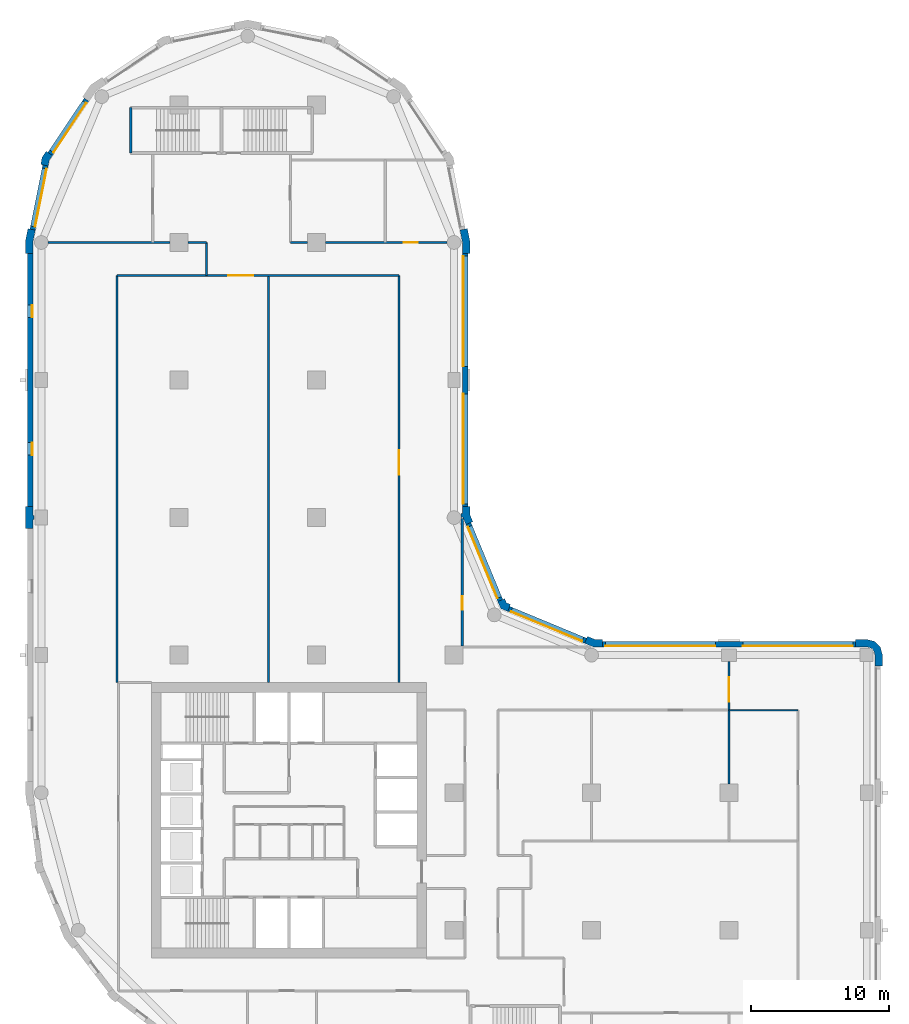
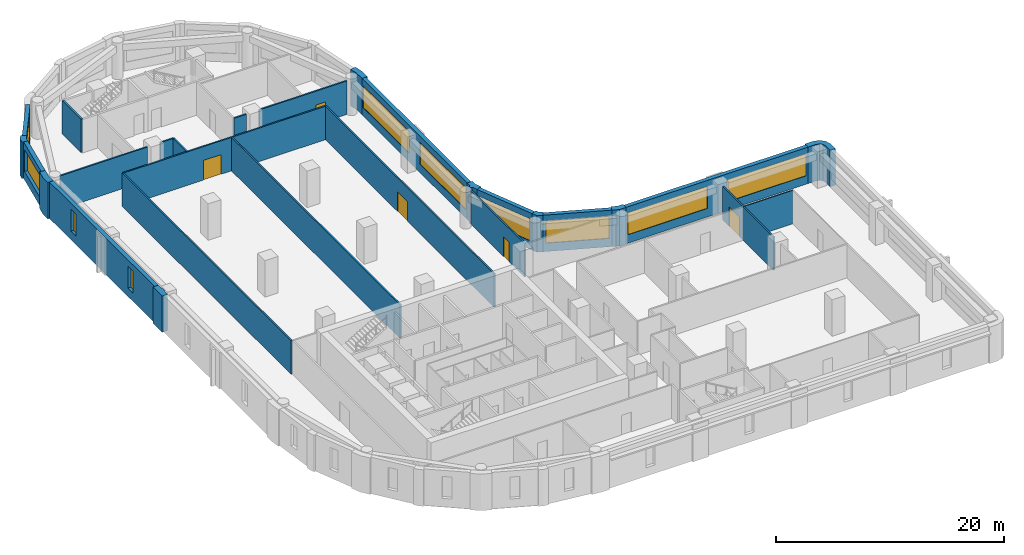
# One storey, part 5 of 9: 28 walls, 10 windows, 5 doors, 15 openings.
"""IFC4 building model written with IfcOpenShell, lengths in metres."""

from ifc_helpers import new_model, si_unit, direction, frame, frame_2d, origin, place, context, subcontext, project, spatial, polyline, rectangle, outline, extrude, material, layer, layer_set, type_object, element, fill, save


model = new_model("IFC4")

# Units and contexts
model_context = context("Model", 3, precision=1e-05, world=origin(), true_north=direction((0.0, 1.0)))
body_context = subcontext(model_context, "Body", "Model", "MODEL_VIEW")
ifc_project = project(units=[si_unit("LENGTHUNIT", "METRE"), si_unit("AREAUNIT", "SQUARE_METRE"), si_unit("VOLUMEUNIT", "CUBIC_METRE"), si_unit("PLANEANGLEUNIT", "RADIAN"), si_unit("MASSUNIT", "GRAM", prefix="KILO")], contexts=[model_context])

# Site, building, storey
site_placement = place(None, origin())
site = spatial("IfcSite", under=ifc_project, at=site_placement, CompositionType="ELEMENT")
building_placement = place(site_placement, origin())
building = spatial("IfcBuilding", under=site, at=building_placement, Name="Qaws Garden Tower", CompositionType="ELEMENT")
storey_placement = place(building_placement, frame((0.0, 0.0, 147.300048828125)))
storey = spatial("IfcBuildingStorey", under=building, at=storey_placement, Name="L35", CompositionType="ELEMENT", Elevation=147.300048828125)

# Wall
ifc_material_1 = material(Name="Clay facing brick masonry", Category="masonry")
ifc_layer_1 = layer(ifc_material_1, 0.550048828125)
ifc_layer_set_1 = layer_set([ifc_layer_1], Name="Clay facing brick masonry")
wall_type_1 = type_object("IfcWallType", Name="Brick corner pier 550 x 2400", PredefinedType="SOLIDWALL", material=ifc_layer_set_1)
placement = place(storey_placement, origin())
element("IfcWall", 1, at=placement, inside=storey, type_object=wall_type_1, Name="E-L35-pier-07", PredefinedType="SOLIDWALL", context=body_context, shape_type="SweptSolid", body=[
    extrude(outline(polyline([(61.0, 29.199951171875), (61.14990234375, 29.199951171875), (61.14990234375, 30.0), (60.995849609375, 30.574951171875), (60.574951171875, 30.995849609375), (60.0, 31.14990234375), (59.199951171875, 31.14990234375), (59.199951171875, 31.0), (59.199951171875, 30.60009765625), (60.0, 30.60009765625), (60.300048828125, 30.51953125), (60.51953125, 30.300048828125), (60.60009765625, 30.0), (60.60009765625, 29.199951171875), (61.0, 29.199951171875)])), origin(), (0.0, 0.0, 1.0), 3.89990234375),
])

# Wall, openings, windows
ifc_material_2 = material(Name="Clay facing brick masonry", Category="masonry")
ifc_layer_2 = layer(ifc_material_2, 0.39990234375)
ifc_layer_set_2 = layer_set([ifc_layer_2], Name="Clay facing brick masonry")
wall_type_2 = type_object("IfcWallType", Name="Brick infill wall 400", PredefinedType="SOLIDWALL", material=ifc_layer_set_2)
wall_2_placement = place(storey_placement, frame((59.199951171875, 30.800048828125, 0.0), z_axis=(0.0, 0.0, 1.0), x_axis=(-1.0, 0.0, 0.0)))
wall_2 = element("IfcWall", 2, at=wall_2_placement, inside=storey, type_object=wall_type_2, Name="E-L35-infill-07", PredefinedType="SOLIDWALL", context=body_context, shape_type="SweptSolid", body=[
    extrude(rectangle(XDim=18.39990234375, YDim=0.39990234375, at=frame_2d((9.199951171875, 0.0))), origin(), (0.0, 0.0, 1.0), 3.89990234375),
])
opening_1_placement = place(wall_2_placement, frame((0.199951171875, 0.0, 0.89990234375)))
opening_1 = element("IfcOpeningElement", 3, at=opening_1_placement, cuts=wall_2, Name="Opening W01", PredefinedType="OPENING", context=body_context, shape_type="SweptSolid", body=[
    extrude(rectangle(XDim=8.0, YDim=2.35009765625, at=frame_2d((4.0, 1.175048828125))), frame((0.0, 0.2099609375, 0.0), z_axis=(0.0, -1.0, 0.0), x_axis=(1.0, 0.0, 0.0)), (0.0, 0.0, 1.0), 0.419921875),
])
opening_2_placement = place(wall_2_placement, frame((10.199951171875, 0.0, 0.89990234375)))
opening_2 = element("IfcOpeningElement", 4, at=opening_2_placement, cuts=wall_2, Name="Opening W01", PredefinedType="OPENING", context=body_context, shape_type="SweptSolid", body=[
    extrude(rectangle(XDim=8.0, YDim=2.35009765625, at=frame_2d((4.0, 1.175048828125))), frame((0.0, 0.2099609375, 0.0), z_axis=(0.0, -1.0, 0.0), x_axis=(1.0, 0.0, 0.0)), (0.0, 0.0, 1.0), 0.419921875),
])
ifc_material_3 = material(Name="Aluminium framed window, clear glazing", Category="aluminium")
window_type_1 = type_object("IfcWindowType", Name="Ribbon window 8000 x 2350", PartitioningType="DOUBLE_PANEL_VERTICAL", PredefinedType="WINDOW", material=ifc_material_3)
window_1_placement = place(opening_1_placement, origin())
window_1 = element("IfcWindow", 5, at=window_1_placement, inside=storey, type_object=window_type_1, Name="E-L35-window-07-0", OverallHeight=2.35009765625, OverallWidth=8.0, PartitioningType="SINGLE_PANEL", PredefinedType="WINDOW", context=body_context, shape_type="SweptSolid", body=[
    extrude(rectangle(XDim=8.0, YDim=2.35009765625, at=frame_2d((4.0, 1.175048828125))), frame((0.0, 0.159912109375, 0.0), z_axis=(0.0, -1.0, 0.0), x_axis=(1.0, 0.0, 0.0)), (0.0, 0.0, 1.0), 0.06005859375),
])
fill(opening_1, window_1)
window_2_placement = place(opening_2_placement, origin())
window_2 = element("IfcWindow", 6, at=window_2_placement, inside=storey, type_object=window_type_1, Name="E-L35-window-08-0", OverallHeight=2.35009765625, OverallWidth=8.0, PartitioningType="SINGLE_PANEL", PredefinedType="WINDOW", context=body_context, shape_type="SweptSolid", body=[
    extrude(rectangle(XDim=8.0, YDim=2.35009765625, at=frame_2d((4.0, 1.175048828125))), frame((0.0, 0.159912109375, 0.0), z_axis=(0.0, -1.0, 0.0), x_axis=(1.0, 0.0, 0.0)), (0.0, 0.0, 1.0), 0.06005859375),
])
fill(opening_2, window_2)

# Wall, opening, window
wall_3_placement = place(storey_placement, frame((39.56689453125, 31.04541015625, 0.0), z_axis=(0.0, 0.0, 1.0), x_axis=(-0.923891000409, 0.382655745237, 0.0)))
wall_3 = element("IfcWall", 7, at=wall_3_placement, inside=storey, type_object=wall_type_2, Name="E-L35-infill-09", PredefinedType="SOLIDWALL", context=body_context, shape_type="SweptSolid", body=[
    extrude(rectangle(XDim=6.053466796875, YDim=0.39990234375, at=frame_2d((3.02685546875, 0.0))), origin(), (0.0, 0.0, 1.0), 3.89990234375),
])
opening_3_placement = place(wall_3_placement, frame((0.226806640625, 0.0, 0.89990234375)))
opening_3 = element("IfcOpeningElement", 8, at=opening_3_placement, cuts=wall_3, Name="Opening W04", PredefinedType="OPENING", context=body_context, shape_type="SweptSolid", body=[
    extrude(rectangle(XDim=5.60009765625, YDim=2.35009765625, at=frame_2d((2.800048828125, 1.175048828125))), frame((0.0, 0.2099609375, 0.0), z_axis=(0.0, -1.0, 0.0), x_axis=(1.0, 0.0, 0.0)), (0.0, 0.0, 1.0), 0.419921875),
])
ifc_material_4 = material(Name="Aluminium framed window, clear glazing", Category="aluminium")
window_type_2 = type_object("IfcWindowType", Name="Ribbon window 5600 x 2350", PartitioningType="DOUBLE_PANEL_VERTICAL", PredefinedType="WINDOW", material=ifc_material_4)
window_3_placement = place(opening_3_placement, origin())
window_3 = element("IfcWindow", 9, at=window_3_placement, inside=storey, type_object=window_type_2, Name="E-L35-window-09-0", OverallHeight=2.35009765625, OverallWidth=5.60009765625, PartitioningType="SINGLE_PANEL", PredefinedType="WINDOW", context=body_context, shape_type="SweptSolid", body=[
    extrude(rectangle(XDim=5.60009765625, YDim=2.35009765625, at=frame_2d((2.800048828125, 1.175048828125))), frame((0.0, 0.159912109375, 0.0), z_axis=(0.0, -1.0, 0.0), x_axis=(1.0, 0.0, 0.0)), (0.0, 0.0, 1.0), 0.06005859375),
])
fill(opening_3, window_3)

wall_4_placement = place(storey_placement, frame((33.36181640625, 33.97412109375, 0.0), z_axis=(0.0, 0.0, 1.0), x_axis=(-0.382655745237, 0.923891000409, 0.0)))
wall_4 = element("IfcWall", 10, at=wall_4_placement, inside=storey, type_object=wall_type_2, Name="E-L35-infill-10", PredefinedType="SOLIDWALL", context=body_context, shape_type="SweptSolid", body=[
    extrude(rectangle(XDim=6.053466796875, YDim=0.39990234375, at=frame_2d((3.02685546875, 0.0))), origin(), (0.0, 0.0, 1.0), 3.89990234375),
])
opening_4_placement = place(wall_4_placement, frame((0.226806640625, 0.0, 0.89990234375)))
opening_4 = element("IfcOpeningElement", 11, at=opening_4_placement, cuts=wall_4, Name="Opening W04", PredefinedType="OPENING", context=body_context, shape_type="SweptSolid", body=[
    extrude(rectangle(XDim=5.60009765625, YDim=2.35009765625, at=frame_2d((2.800048828125, 1.175048828125))), frame((0.0, 0.2099609375, 0.0), z_axis=(0.0, -1.0, 0.0), x_axis=(1.0, 0.0, 0.0)), (0.0, 0.0, 1.0), 0.419921875),
])
window_4_placement = place(opening_4_placement, origin())
window_4 = element("IfcWindow", 12, at=window_4_placement, inside=storey, type_object=window_type_2, Name="E-L35-window-10-0", OverallHeight=2.35009765625, OverallWidth=5.60009765625, PartitioningType="SINGLE_PANEL", PredefinedType="WINDOW", context=body_context, shape_type="SweptSolid", body=[
    extrude(rectangle(XDim=5.60009765625, YDim=2.35009765625, at=frame_2d((2.800048828125, 1.175048828125))), frame((0.0, 0.159912109375, 0.0), z_axis=(0.0, -1.0, 0.0), x_axis=(1.0, 0.0, 0.0)), (0.0, 0.0, 1.0), 0.06005859375),
])
fill(opening_4, window_4)

# Wall, openings, windows
wall_5_placement = place(storey_placement, frame((30.800048828125, 40.800048828125, 0.0), z_axis=(0.0, 0.0, 1.0), x_axis=(0.0, 1.0, 0.0)))
wall_5 = element("IfcWall", 13, at=wall_5_placement, inside=storey, type_object=wall_type_2, Name="E-L35-infill-11", PredefinedType="SOLIDWALL", context=body_context, shape_type="SweptSolid", body=[
    extrude(rectangle(XDim=18.39990234375, YDim=0.39990234375, at=frame_2d((9.199951171875, 0.0))), origin(), (0.0, 0.0, 1.0), 3.89990234375),
])
opening_5_placement = place(wall_5_placement, frame((0.199951171875, 0.0, 0.89990234375)))
opening_5 = element("IfcOpeningElement", 14, at=opening_5_placement, cuts=wall_5, Name="Opening W01", PredefinedType="OPENING", context=body_context, shape_type="SweptSolid", body=[
    extrude(rectangle(XDim=8.0, YDim=2.35009765625, at=frame_2d((4.0, 1.175048828125))), frame((0.0, 0.2099609375, 0.0), z_axis=(0.0, -1.0, 0.0), x_axis=(1.0, 0.0, 0.0)), (0.0, 0.0, 1.0), 0.419921875),
])
opening_6_placement = place(wall_5_placement, frame((10.199951171875, 0.0, 0.89990234375)))
opening_6 = element("IfcOpeningElement", 15, at=opening_6_placement, cuts=wall_5, Name="Opening W01", PredefinedType="OPENING", context=body_context, shape_type="SweptSolid", body=[
    extrude(rectangle(XDim=8.0, YDim=2.35009765625, at=frame_2d((4.0, 1.175048828125))), frame((0.0, 0.2099609375, 0.0), z_axis=(0.0, -1.0, 0.0), x_axis=(1.0, 0.0, 0.0)), (0.0, 0.0, 1.0), 0.419921875),
])
window_5_placement = place(opening_5_placement, origin())
window_5 = element("IfcWindow", 16, at=window_5_placement, inside=storey, type_object=window_type_1, Name="E-L35-window-11-0", OverallHeight=2.35009765625, OverallWidth=8.0, PartitioningType="SINGLE_PANEL", PredefinedType="WINDOW", context=body_context, shape_type="SweptSolid", body=[
    extrude(rectangle(XDim=8.0, YDim=2.35009765625, at=frame_2d((4.0, 1.175048828125))), frame((0.0, 0.159912109375, 0.0), z_axis=(0.0, -1.0, 0.0), x_axis=(1.0, 0.0, 0.0)), (0.0, 0.0, 1.0), 0.06005859375),
])
fill(opening_5, window_5)
window_6_placement = place(opening_6_placement, origin())
window_6 = element("IfcWindow", 17, at=window_6_placement, inside=storey, type_object=window_type_1, Name="E-L35-window-12-0", OverallHeight=2.35009765625, OverallWidth=8.0, PartitioningType="SINGLE_PANEL", PredefinedType="WINDOW", context=body_context, shape_type="SweptSolid", body=[
    extrude(rectangle(XDim=8.0, YDim=2.35009765625, at=frame_2d((4.0, 1.175048828125))), frame((0.0, 0.159912109375, 0.0), z_axis=(0.0, -1.0, 0.0), x_axis=(1.0, 0.0, 0.0)), (0.0, 0.0, 1.0), 0.06005859375),
])
fill(opening_6, window_6)

# Wall, opening, window
wall_6_placement = place(storey_placement, frame((3.28369140625, 70.385986328125, 0.0), z_axis=(0.0, 0.0, 1.0), x_axis=(-0.555541552266, -0.831488775454, 0.0)))
wall_6 = element("IfcWall", 18, at=wall_6_placement, inside=storey, type_object=wall_type_2, Name="E-L35-infill-19", PredefinedType="SOLIDWALL", context=body_context, shape_type="SweptSolid", body=[
    extrude(rectangle(XDim=4.752685546875, YDim=0.39990234375, at=frame_2d((2.37646484375, 0.0))), origin(), (0.0, 0.0, 1.0), 3.89990234375),
])
opening_7_placement = place(wall_6_placement, frame((0.226318359375, 0.0, 0.89990234375)))
opening_7 = element("IfcOpeningElement", 19, at=opening_7_placement, cuts=wall_6, Name="Opening W06", PredefinedType="OPENING", context=body_context, shape_type="SweptSolid", body=[
    extrude(rectangle(XDim=4.300048828125, YDim=2.35009765625, at=frame_2d((2.14990234375, 1.175048828125))), frame((0.0, 0.2099609375, 0.0), z_axis=(0.0, -1.0, 0.0), x_axis=(1.0, 0.0, 0.0)), (0.0, 0.0, 1.0), 0.419921875),
])
ifc_material_5 = material(Name="Aluminium framed window, clear glazing", Category="aluminium")
window_type_3 = type_object("IfcWindowType", Name="Ribbon window 4300 x 2350", PartitioningType="DOUBLE_PANEL_VERTICAL", PredefinedType="WINDOW", material=ifc_material_5)
window_7_placement = place(opening_7_placement, origin())
window_7 = element("IfcWindow", 20, at=window_7_placement, inside=storey, type_object=window_type_3, Name="E-L35-window-19-0", OverallHeight=2.35009765625, OverallWidth=4.300048828125, PartitioningType="SINGLE_PANEL", PredefinedType="WINDOW", context=body_context, shape_type="SweptSolid", body=[
    extrude(rectangle(XDim=4.300048828125, YDim=2.35009765625, at=frame_2d((2.14990234375, 1.175048828125))), frame((0.0, 0.159912109375, 0.0), z_axis=(0.0, -1.0, 0.0), x_axis=(1.0, 0.0, 0.0)), (0.0, 0.0, 1.0), 0.06005859375),
])
fill(opening_7, window_7)

wall_7_placement = place(storey_placement, frame((0.298583984375, 65.60205078125, 0.0), z_axis=(0.0, 0.0, 1.0), x_axis=(-0.195098533057, -0.98078364709, 0.0)))
wall_7 = element("IfcWall", 21, at=wall_7_placement, inside=storey, type_object=wall_type_2, Name="E-L35-infill-20", PredefinedType="SOLIDWALL", context=body_context, shape_type="SweptSolid", body=[
    extrude(rectangle(XDim=4.752685546875, YDim=0.39990234375, at=frame_2d((2.37646484375, 0.0))), origin(), (0.0, 0.0, 1.0), 3.89990234375),
])
opening_8_placement = place(wall_7_placement, frame((0.226318359375, 0.0, 0.89990234375)))
opening_8 = element("IfcOpeningElement", 22, at=opening_8_placement, cuts=wall_7, Name="Opening W06", PredefinedType="OPENING", context=body_context, shape_type="SweptSolid", body=[
    extrude(rectangle(XDim=4.300048828125, YDim=2.35009765625, at=frame_2d((2.14990234375, 1.175048828125))), frame((0.0, 0.2099609375, 0.0), z_axis=(0.0, -1.0, 0.0), x_axis=(1.0, 0.0, 0.0)), (0.0, 0.0, 1.0), 0.419921875),
])
window_8_placement = place(opening_8_placement, origin())
window_8 = element("IfcWindow", 23, at=window_8_placement, inside=storey, type_object=window_type_3, Name="E-L35-window-20-0", OverallHeight=2.35009765625, OverallWidth=4.300048828125, PartitioningType="SINGLE_PANEL", PredefinedType="WINDOW", context=body_context, shape_type="SweptSolid", body=[
    extrude(rectangle(XDim=4.300048828125, YDim=2.35009765625, at=frame_2d((2.14990234375, 1.175048828125))), frame((0.0, 0.159912109375, 0.0), z_axis=(0.0, -1.0, 0.0), x_axis=(1.0, 0.0, 0.0)), (0.0, 0.0, 1.0), 0.06005859375),
])
fill(opening_8, window_8)

# Wall, openings, windows
wall_8_placement = place(storey_placement, frame((-0.800048828125, 59.199951171875, 0.0), z_axis=(0.0, 0.0, 1.0), x_axis=(0.0, -1.0, 0.0)))
wall_8 = element("IfcWall", 24, at=wall_8_placement, inside=storey, type_object=wall_type_2, Name="E-L35-infill-21", PredefinedType="SOLIDWALL", context=body_context, shape_type="SweptSolid", body=[
    extrude(rectangle(XDim=18.39990234375, YDim=0.39990234375, at=frame_2d((9.199951171875, 0.0))), origin(), (0.0, 0.0, 1.0), 3.89990234375),
])
opening_9_placement = place(wall_8_placement, frame((3.75, 0.0, 0.89990234375)))
opening_9 = element("IfcOpeningElement", 25, at=opening_9_placement, cuts=wall_8, Name="Opening W09", PredefinedType="OPENING", context=body_context, shape_type="SweptSolid", body=[
    extrude(rectangle(XDim=0.89990234375, YDim=2.35009765625, at=frame_2d((0.449951171875, 1.175048828125))), frame((0.0, 0.2099609375, 0.0), z_axis=(0.0, -1.0, 0.0), x_axis=(1.0, 0.0, 0.0)), (0.0, 0.0, 1.0), 0.419921875),
])
opening_10_placement = place(wall_8_placement, frame((13.75, 0.0, 0.89990234375)))
opening_10 = element("IfcOpeningElement", 26, at=opening_10_placement, cuts=wall_8, Name="Opening W09", PredefinedType="OPENING", context=body_context, shape_type="SweptSolid", body=[
    extrude(rectangle(XDim=0.89990234375, YDim=2.35009765625, at=frame_2d((0.449951171875, 1.175048828125))), frame((0.0, 0.2099609375, 0.0), z_axis=(0.0, -1.0, 0.0), x_axis=(1.0, 0.0, 0.0)), (0.0, 0.0, 1.0), 0.419921875),
])
ifc_material_6 = material(Name="Aluminium framed window, clear glazing", Category="aluminium")
window_type_4 = type_object("IfcWindowType", Name="Slit window 900 x 2350", PartitioningType="SINGLE_PANEL", PredefinedType="WINDOW", material=ifc_material_6)
window_9_placement = place(opening_9_placement, origin())
window_9 = element("IfcWindow", 27, at=window_9_placement, inside=storey, type_object=window_type_4, Name="E-L35-window-21-0", OverallHeight=2.35009765625, OverallWidth=0.89990234375, PartitioningType="SINGLE_PANEL", PredefinedType="WINDOW", context=body_context, shape_type="SweptSolid", body=[
    extrude(rectangle(XDim=0.89990234375, YDim=2.35009765625, at=frame_2d((0.449951171875, 1.175048828125))), frame((0.0, 0.159912109375, 0.0), z_axis=(0.0, -1.0, 0.0), x_axis=(1.0, 0.0, 0.0)), (0.0, 0.0, 1.0), 0.06005859375),
])
fill(opening_9, window_9)
window_10_placement = place(opening_10_placement, origin())
window_10 = element("IfcWindow", 28, at=window_10_placement, inside=storey, type_object=window_type_4, Name="E-L35-window-22-0", OverallHeight=2.35009765625, OverallWidth=0.89990234375, PartitioningType="SINGLE_PANEL", PredefinedType="WINDOW", context=body_context, shape_type="SweptSolid", body=[
    extrude(rectangle(XDim=0.89990234375, YDim=2.35009765625, at=frame_2d((0.449951171875, 1.175048828125))), frame((0.0, 0.159912109375, 0.0), z_axis=(0.0, -1.0, 0.0), x_axis=(1.0, 0.0, 0.0)), (0.0, 0.0, 1.0), 0.06005859375),
])
fill(opening_10, window_10)

# Walls
ifc_material_7 = material(Name="Clay facing brick masonry", Category="masonry")
ifc_layer_3 = layer(ifc_material_7, 0.550048828125)
ifc_layer_set_3 = layer_set([ifc_layer_3], Name="Clay facing brick masonry")
wall_type_3 = type_object("IfcWallType", Name="Brick kink pier 550 x 600", PredefinedType="SOLIDWALL", material=ifc_layer_set_3)
element("IfcWall", 29, at=placement, inside=storey, type_object=wall_type_3, Name="E-L35-pier-20", PredefinedType="SOLIDWALL", context=body_context, shape_type="SweptSolid", body=[
    extrude(outline(polyline([(0.47705078125, 66.545166015625), (0.352294921875, 66.628662109375), (0.05859375, 66.18896484375), (-0.044677734375, 65.67041015625), (0.1025390625, 65.64111328125), (0.494873046875, 65.56298828125), (0.57666015625, 65.974365234375), (0.8095703125, 66.322998046875), (0.47705078125, 66.545166015625)])), origin(), (0.0, 0.0, 1.0), 3.89990234375),
])
ifc_material_8 = material(Name="Clay facing brick masonry", Category="masonry")
ifc_layer_4 = layer(ifc_material_8, 0.550048828125)
ifc_layer_set_4 = layer_set([ifc_layer_4], Name="Clay facing brick masonry")
wall_type_4 = type_object("IfcWallType", Name="Brick pier 550 x 1600", PredefinedType="SOLIDWALL", material=ifc_layer_set_4)
element("IfcWall", 30, at=placement, inside=storey, type_object=wall_type_4, Name="E-L35-pier-09", PredefinedType="SOLIDWALL", context=body_context, shape_type="SweptSolid", body=[
    extrude(outline(polyline([(40.800048828125, 31.0), (40.800048828125, 31.14990234375), (40.228759765625, 31.14990234375), (39.700927734375, 31.36865234375), (39.6435546875, 31.22998046875), (39.490478515625, 30.860595703125), (40.119384765625, 30.60009765625), (40.800048828125, 30.60009765625), (40.800048828125, 31.0)])), origin(), (0.0, 0.0, 1.0), 3.89990234375),
])
element("IfcWall", 31, at=placement, inside=storey, type_object=wall_type_4, Name="E-L35-pier-10", PredefinedType="SOLIDWALL", context=body_context, shape_type="SweptSolid", body=[
    extrude(outline(polyline([(34.05078125, 33.546630859375), (34.108154296875, 33.685302734375), (33.80908203125, 33.80908203125), (33.685302734375, 34.108154296875), (33.546630859375, 34.05078125), (33.177001953125, 33.897705078125), (33.38818359375, 33.38818359375), (33.897705078125, 33.177001953125), (34.05078125, 33.546630859375)])), origin(), (0.0, 0.0, 1.0), 3.89990234375),
])
element("IfcWall", 32, at=placement, inside=storey, type_object=wall_type_4, Name="E-L35-pier-11", PredefinedType="SOLIDWALL", context=body_context, shape_type="SweptSolid", body=[
    extrude(outline(polyline([(30.6201171875, 39.995361328125), (30.6201171875, 40.071044921875), (30.860595703125, 39.490478515625), (31.22998046875, 39.6435546875), (31.36865234375, 39.700927734375), (31.14990234375, 40.228759765625), (31.14990234375, 40.800048828125), (31.0, 40.800048828125), (30.60009765625, 40.800048828125), (30.60009765625, 40.29541015625), (30.5, 40.29541015625), (30.5, 39.995361328125), (30.6201171875, 39.995361328125)])), origin(), (0.0, 0.0, 1.0), 3.89990234375),
])
element("IfcWall", 33, at=placement, inside=storey, type_object=wall_type_4, Name="E-L35-pier-13", PredefinedType="SOLIDWALL", context=body_context, shape_type="SweptSolid", body=[
    extrude(outline(polyline([(31.0, 59.199951171875), (31.14990234375, 59.199951171875), (31.14990234375, 60.11328125), (30.971923828125, 61.009033203125), (30.82470703125, 60.979736328125), (30.432373046875, 60.901611328125), (30.60009765625, 60.05908203125), (30.60009765625, 59.199951171875), (31.0, 59.199951171875)])), origin(), (0.0, 0.0, 1.0), 3.89990234375),
])
element("IfcWall", 34, at=placement, inside=storey, type_object=wall_type_4, Name="E-L35-pier-21", PredefinedType="SOLIDWALL", context=body_context, shape_type="SweptSolid", body=[
    extrude(outline(polyline([(-0.82470703125, 60.979736328125), (-0.971923828125, 61.009033203125), (-1.14990234375, 60.11328125), (-1.14990234375, 59.199951171875), (-1.0, 59.199951171875), (-0.60009765625, 59.199951171875), (-0.60009765625, 60.05908203125), (-0.432373046875, 60.901611328125), (-0.82470703125, 60.979736328125)])), origin(), (0.0, 0.0, 1.0), 3.89990234375),
])
element("IfcWall", 35, at=placement, inside=storey, type_object=wall_type_4, Name="E-L35-pier-23", PredefinedType="SOLIDWALL", context=body_context, shape_type="SweptSolid", body=[
    extrude(outline(polyline([(-0.60009765625, 39.199951171875), (-0.60009765625, 39.85009765625), (-0.550048828125, 39.85009765625), (-0.550048828125, 40.14990234375), (-0.60009765625, 40.14990234375), (-0.60009765625, 40.800048828125), (-1.0, 40.800048828125), (-1.14990234375, 40.800048828125), (-1.14990234375, 40.0), (-1.14990234375, 39.199951171875), (-1.0, 39.199951171875), (-0.60009765625, 39.199951171875)])), origin(), (0.0, 0.0, 1.0), 3.89990234375),
])
ifc_material_9 = material(Name="Concrete C70", Category="concrete")
ifc_layer_5 = layer(ifc_material_9, 0.199951171875)
ifc_layer_set_5 = layer_set([ifc_layer_5], Name="Concrete C70")
wall_type_5 = type_object("IfcWallType", Name="Core shaft wall 200 C70", PredefinedType="SHEAR", material=ifc_layer_set_5)
wall_16_placement = place(storey_placement, frame((6.5, 66.5, 0.0), z_axis=(0.0, 0.0, 1.0), x_axis=(0.0, 1.0, 0.0)))
element("IfcWall", 36, at=wall_16_placement, inside=storey, type_object=wall_type_5, Name="Shaft wall", PredefinedType="SHEAR", context=body_context, shape_type="SweptSolid", body=[
    extrude(rectangle(XDim=3.300048828125, YDim=0.199951171875, at=frame_2d((1.64990234375, 0.0))), origin(), (0.0, 0.0, 1.0), 3.579833984375),
])
ifc_material_10 = material(Name="Gypsum board partition")
ifc_layer_6 = layer(ifc_material_10, 0.10009765625)
ifc_layer_set_6 = layer_set([ifc_layer_6], Name="Gypsum board partition")
wall_type_6 = type_object("IfcWallType", Name="PARTITION 100", PredefinedType="PARTITIONING", material=ifc_layer_set_6)
wall_17_placement = place(storey_placement, frame((50.0, 26.0, 0.0), z_axis=(0.0, 0.0, 1.0), x_axis=(1.0, 0.0, 0.0)))
element("IfcWall", 37, at=wall_17_placement, inside=storey, type_object=wall_type_6, Name="O-L35-wall-003", PredefinedType="PARTITIONING", context=body_context, shape_type="SweptSolid", body=[
    extrude(rectangle(XDim=5.0, YDim=0.10009765625, at=frame_2d((2.5, 0.0))), origin(), (0.0, 0.0, 1.0), 3.579833984375),
])
ifc_material_11 = material(Name="Gypsum board partition")
ifc_layer_7 = layer(ifc_material_11, 0.14990234375)
ifc_layer_set_7 = layer_set([ifc_layer_7], Name="Gypsum board partition")
wall_type_7 = type_object("IfcWallType", Name="PARTITION 150 EI 60", PredefinedType="PARTITIONING", material=ifc_layer_set_7)
wall_18_placement = place(storey_placement, frame((5.5, 28.0, 0.0), z_axis=(0.0, 0.0, 1.0), x_axis=(0.0, 1.0, 0.0)))
element("IfcWall", 38, at=wall_18_placement, inside=storey, type_object=wall_type_7, Name="O-L35-wall-004", PredefinedType="PARTITIONING", context=body_context, shape_type="SweptSolid", body=[
    extrude(rectangle(XDim=29.60009765625, YDim=0.14990234375, at=frame_2d((14.800048828125, 0.0))), origin(), (0.0, 0.0, 1.0), 3.579833984375),
])
wall_19_placement = place(storey_placement, frame((12.0, 57.60009765625, 0.0), z_axis=(0.0, 0.0, 1.0), x_axis=(0.0, 1.0, 0.0)))
element("IfcWall", 39, at=wall_19_placement, inside=storey, type_object=wall_type_7, Name="O-L35-wall-007", PredefinedType="PARTITIONING", context=body_context, shape_type="SweptSolid", body=[
    extrude(rectangle(XDim=2.39990234375, YDim=0.14990234375, at=frame_2d((1.199951171875, 0.0))), origin(), (0.0, 0.0, 1.0), 3.579833984375),
])
wall_20_placement = place(storey_placement, frame((16.5, 28.0, 0.0), z_axis=(0.0, 0.0, 1.0), x_axis=(0.0, 1.0, 0.0)))
element("IfcWall", 40, at=wall_20_placement, inside=storey, type_object=wall_type_7, Name="O-L35-wall-009", PredefinedType="PARTITIONING", context=body_context, shape_type="SweptSolid", body=[
    extrude(rectangle(XDim=29.60009765625, YDim=0.14990234375, at=frame_2d((14.800048828125, 0.0))), origin(), (0.0, 0.0, 1.0), 3.579833984375),
])

# Wall, opening, door
wall_21_placement = place(storey_placement, frame((26.0, 28.0, 0.0), z_axis=(0.0, 0.0, 1.0), x_axis=(0.0, 1.0, 0.0)))
wall_21 = element("IfcWall", 41, at=wall_21_placement, inside=storey, type_object=wall_type_7, Name="O-L35-wall-013", PredefinedType="PARTITIONING", context=body_context, shape_type="SweptSolid", body=[
    extrude(rectangle(XDim=29.60009765625, YDim=0.14990234375, at=frame_2d((14.800048828125, 0.0))), origin(), (0.0, 0.0, 1.0), 3.579833984375),
])
opening_11_placement = place(wall_21_placement, frame((15.10009765625, 0.0, 0.0)))
opening_11 = element("IfcOpeningElement", 42, at=opening_11_placement, cuts=wall_21, Name="Opening B204", PredefinedType="OPENING", context=body_context, shape_type="SweptSolid", body=[
    extrude(rectangle(XDim=1.800048828125, YDim=2.10009765625, at=frame_2d((0.89990234375, 1.050048828125))), frame((0.0, 0.0849609375, 0.0), z_axis=(0.0, -1.0, 0.0), x_axis=(1.0, 0.0, 0.0)), (0.0, 0.0, 1.0), 0.169921875),
])
ifc_material_12 = material(Name="Timber door leaf", Category="wood")
door_type_1 = type_object("IfcDoorType", Name="DOUBLE DOOR 1800 X 2100", OperationType="DOUBLE_DOOR_SINGLE_SWING", PredefinedType="DOOR", material=ifc_material_12)
door_1_placement = place(opening_11_placement, origin())
door_1 = element("IfcDoor", 43, at=door_1_placement, inside=storey, type_object=door_type_1, Name="O-L35-door-004", OperationType="DOUBLE_DOOR_SINGLE_SWING", OverallHeight=2.10009765625, OverallWidth=1.800048828125, PredefinedType="DOOR", context=body_context, shape_type="SweptSolid", body=[
    extrude(rectangle(XDim=1.800048828125, YDim=2.10009765625, at=frame_2d((0.89990234375, 1.050048828125))), frame((0.0, 0.02490234375, 0.0), z_axis=(0.0, -1.0, 0.0), x_axis=(1.0, 0.0, 0.0)), (0.0, 0.0, 1.0), 0.050048828125),
])
fill(opening_11, door_1)

wall_22_placement = place(storey_placement, frame((30.60009765625, 30.64990234375, 0.0), z_axis=(0.0, 0.0, 1.0), x_axis=(0.0, 1.0, 0.0)))
wall_22 = element("IfcWall", 44, at=wall_22_placement, inside=storey, type_object=wall_type_7, Name="O-L35-wall-014", PredefinedType="PARTITIONING", context=body_context, shape_type="SweptSolid", body=[
    extrude(rectangle(XDim=9.288330078125, YDim=0.14990234375, at=frame_2d((4.64404296875, 0.0))), origin(), (0.0, 0.0, 1.0), 3.579833984375),
])
opening_12_placement = place(wall_22_placement, frame((2.64990234375, 0.0, 0.0)))
opening_12 = element("IfcOpeningElement", 45, at=opening_12_placement, cuts=wall_22, Name="Opening B210", PredefinedType="OPENING", context=body_context, shape_type="SweptSolid", body=[
    extrude(rectangle(XDim=1.0, YDim=2.10009765625, at=frame_2d((0.5, 1.050048828125))), frame((0.0, 0.0849609375, 0.0), z_axis=(0.0, -1.0, 0.0), x_axis=(1.0, 0.0, 0.0)), (0.0, 0.0, 1.0), 0.169921875),
])
ifc_material_13 = material(Name="Timber door leaf", Category="wood")
door_type_2 = type_object("IfcDoorType", Name="TENANCY ENTRANCE DOOR 1000 X 2100", OperationType="SINGLE_SWING_LEFT", PredefinedType="DOOR", material=ifc_material_13)
door_2_placement = place(opening_12_placement, frame((1.0, 0.0, 0.0), z_axis=(0.0, 0.0, 1.0), x_axis=(-1.0, 0.0, 0.0)))
door_2 = element("IfcDoor", 46, at=door_2_placement, inside=storey, type_object=door_type_2, Name="O-L35-door-010", OperationType="SINGLE_SWING_LEFT", OverallHeight=2.10009765625, OverallWidth=1.0, PredefinedType="DOOR", context=body_context, shape_type="SweptSolid", body=[
    extrude(rectangle(XDim=1.0, YDim=2.10009765625, at=frame_2d((0.5, 1.050048828125))), frame((0.0, 0.02490234375, 0.0), z_axis=(0.0, -1.0, 0.0), x_axis=(1.0, 0.0, 0.0)), (0.0, 0.0, 1.0), 0.050048828125),
])
fill(opening_12, door_2)

wall_23_placement = place(storey_placement, frame((50.0, 20.64990234375, 0.0), z_axis=(0.0, 0.0, 1.0), x_axis=(0.0, 1.0, 0.0)))
wall_23 = element("IfcWall", 47, at=wall_23_placement, inside=storey, type_object=wall_type_7, Name="O-L35-wall-029", PredefinedType="PARTITIONING", context=body_context, shape_type="SweptSolid", body=[
    extrude(rectangle(XDim=8.900146484375, YDim=0.14990234375, at=frame_2d((4.4501953125, 0.0))), origin(), (0.0, 0.0, 1.0), 3.579833984375),
])
opening_13_placement = place(wall_23_placement, frame((5.949951171875, 0.0, 0.0)))
opening_13 = element("IfcOpeningElement", 48, at=opening_13_placement, cuts=wall_23, Name="Opening B203", PredefinedType="OPENING", context=body_context, shape_type="SweptSolid", body=[
    extrude(rectangle(XDim=1.800048828125, YDim=2.10009765625, at=frame_2d((0.89990234375, 1.050048828125))), frame((0.0, 0.0849609375, 0.0), z_axis=(0.0, -1.0, 0.0), x_axis=(1.0, 0.0, 0.0)), (0.0, 0.0, 1.0), 0.169921875),
])
door_3_placement = place(opening_13_placement, frame((1.800048828125, 0.0, 0.0), z_axis=(0.0, 0.0, 1.0), x_axis=(-1.0, 0.0, 0.0)))
door_3 = element("IfcDoor", 49, at=door_3_placement, inside=storey, type_object=door_type_1, Name="O-L35-door-003", OperationType="DOUBLE_DOOR_SINGLE_SWING", OverallHeight=2.10009765625, OverallWidth=1.800048828125, PredefinedType="DOOR", context=body_context, shape_type="SweptSolid", body=[
    extrude(rectangle(XDim=1.800048828125, YDim=2.10009765625, at=frame_2d((0.89990234375, 1.050048828125))), frame((0.0, 0.02490234375, 0.0), z_axis=(0.0, -1.0, 0.0), x_axis=(1.0, 0.0, 0.0)), (0.0, 0.0, 1.0), 0.050048828125),
])
fill(opening_13, door_3)

wall_24_placement = place(storey_placement, frame((5.5, 57.60009765625, 0.0), z_axis=(0.0, 0.0, 1.0), x_axis=(1.0, 0.0, 0.0)))
wall_24 = element("IfcWall", 50, at=wall_24_placement, inside=storey, type_object=wall_type_7, Name="O-L35-wall-045", PredefinedType="PARTITIONING", context=body_context, shape_type="SweptSolid", body=[
    extrude(rectangle(XDim=20.5, YDim=0.14990234375, at=frame_2d((10.25, 0.0))), origin(), (0.0, 0.0, 1.0), 3.579833984375),
])
opening_14_placement = place(wall_24_placement, frame((8.10009765625, 0.0, 0.0)))
opening_14 = element("IfcOpeningElement", 51, at=opening_14_placement, cuts=wall_24, Name="Opening B205", PredefinedType="OPENING", context=body_context, shape_type="SweptSolid", body=[
    extrude(rectangle(XDim=1.800048828125, YDim=2.10009765625, at=frame_2d((0.89990234375, 1.050048828125))), frame((0.0, 0.0849609375, 0.0), z_axis=(0.0, -1.0, 0.0), x_axis=(1.0, 0.0, 0.0)), (0.0, 0.0, 1.0), 0.169921875),
])
door_4_placement = place(opening_14_placement, frame((1.800048828125, 0.0, 0.0), z_axis=(0.0, 0.0, 1.0), x_axis=(-1.0, 0.0, 0.0)))
door_4 = element("IfcDoor", 52, at=door_4_placement, inside=storey, type_object=door_type_1, Name="O-L35-door-005", OperationType="DOUBLE_DOOR_SINGLE_SWING", OverallHeight=2.10009765625, OverallWidth=1.800048828125, PredefinedType="DOOR", context=body_context, shape_type="SweptSolid", body=[
    extrude(rectangle(XDim=1.800048828125, YDim=2.10009765625, at=frame_2d((0.89990234375, 1.050048828125))), frame((0.0, 0.02490234375, 0.0), z_axis=(0.0, -1.0, 0.0), x_axis=(1.0, 0.0, 0.0)), (0.0, 0.0, 1.0), 0.050048828125),
])
fill(opening_14, door_4)

# Walls
wall_25_placement = place(storey_placement, frame((0.5, 60.0, 0.0), z_axis=(0.0, 0.0, 1.0), x_axis=(1.0, 0.0, 0.0)))
element("IfcWall", 53, at=wall_25_placement, inside=storey, type_object=wall_type_7, Name="O-L35-wall-046", PredefinedType="PARTITIONING", context=body_context, shape_type="SweptSolid", body=[
    extrude(rectangle(XDim=8.85009765625, YDim=0.14990234375, at=frame_2d((4.425048828125, 0.0))), origin(), (0.0, 0.0, 1.0), 3.579833984375),
])
wall_26_placement = place(storey_placement, frame((10.64990234375, 60.0, 0.0), z_axis=(0.0, 0.0, 1.0), x_axis=(1.0, 0.0, 0.0)))
element("IfcWall", 54, at=wall_26_placement, inside=storey, type_object=wall_type_7, Name="O-L35-wall-047", PredefinedType="PARTITIONING", context=body_context, shape_type="SweptSolid", body=[
    extrude(rectangle(XDim=1.35009765625, YDim=0.14990234375, at=frame_2d((0.675048828125, 0.0))), origin(), (0.0, 0.0, 1.0), 3.579833984375),
])
wall_27_placement = place(storey_placement, frame((18.10009765625, 60.0, 0.0), z_axis=(0.0, 0.0, 1.0), x_axis=(1.0, 0.0, 0.0)))
element("IfcWall", 55, at=wall_27_placement, inside=storey, type_object=wall_type_7, Name="O-L35-wall-048", PredefinedType="PARTITIONING", context=body_context, shape_type="SweptSolid", body=[
    extrude(rectangle(XDim=1.25, YDim=0.14990234375, at=frame_2d((0.625, 0.0))), origin(), (0.0, 0.0, 1.0), 3.579833984375),
])

# Wall, opening, door
wall_28_placement = place(storey_placement, frame((20.64990234375, 60.0, 0.0), z_axis=(0.0, 0.0, 1.0), x_axis=(1.0, 0.0, 0.0)))
wall_28 = element("IfcWall", 56, at=wall_28_placement, inside=storey, type_object=wall_type_7, Name="O-L35-wall-049", PredefinedType="PARTITIONING", context=body_context, shape_type="SweptSolid", body=[
    extrude(rectangle(XDim=8.85009765625, YDim=0.14990234375, at=frame_2d((4.425048828125, 0.0))), origin(), (0.0, 0.0, 1.0), 3.579833984375),
])
opening_15_placement = place(wall_28_placement, frame((5.699951171875, 0.0, 0.0)))
opening_15 = element("IfcOpeningElement", 57, at=opening_15_placement, cuts=wall_28, Name="Opening B209", PredefinedType="OPENING", context=body_context, shape_type="SweptSolid", body=[
    extrude(rectangle(XDim=1.0, YDim=2.10009765625, at=frame_2d((0.5, 1.050048828125))), frame((0.0, 0.0849609375, 0.0), z_axis=(0.0, -1.0, 0.0), x_axis=(1.0, 0.0, 0.0)), (0.0, 0.0, 1.0), 0.169921875),
])
door_5_placement = place(opening_15_placement, origin())
door_5 = element("IfcDoor", 58, at=door_5_placement, inside=storey, type_object=door_type_2, Name="O-L35-door-009", OperationType="SINGLE_SWING_LEFT", OverallHeight=2.10009765625, OverallWidth=1.0, PredefinedType="DOOR", context=body_context, shape_type="SweptSolid", body=[
    extrude(rectangle(XDim=1.0, YDim=2.10009765625, at=frame_2d((0.5, 1.050048828125))), frame((0.0, 0.02490234375, 0.0), z_axis=(0.0, -1.0, 0.0), x_axis=(1.0, 0.0, 0.0)), (0.0, 0.0, 1.0), 0.050048828125),
])
fill(opening_15, door_5)

save(model, "model.ifc")
